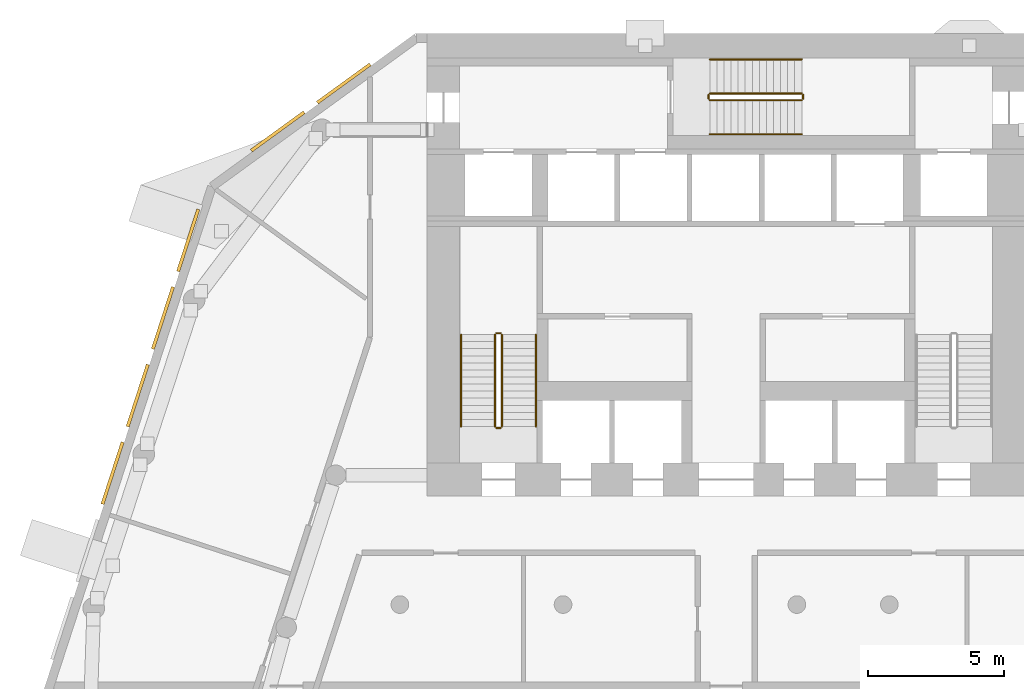
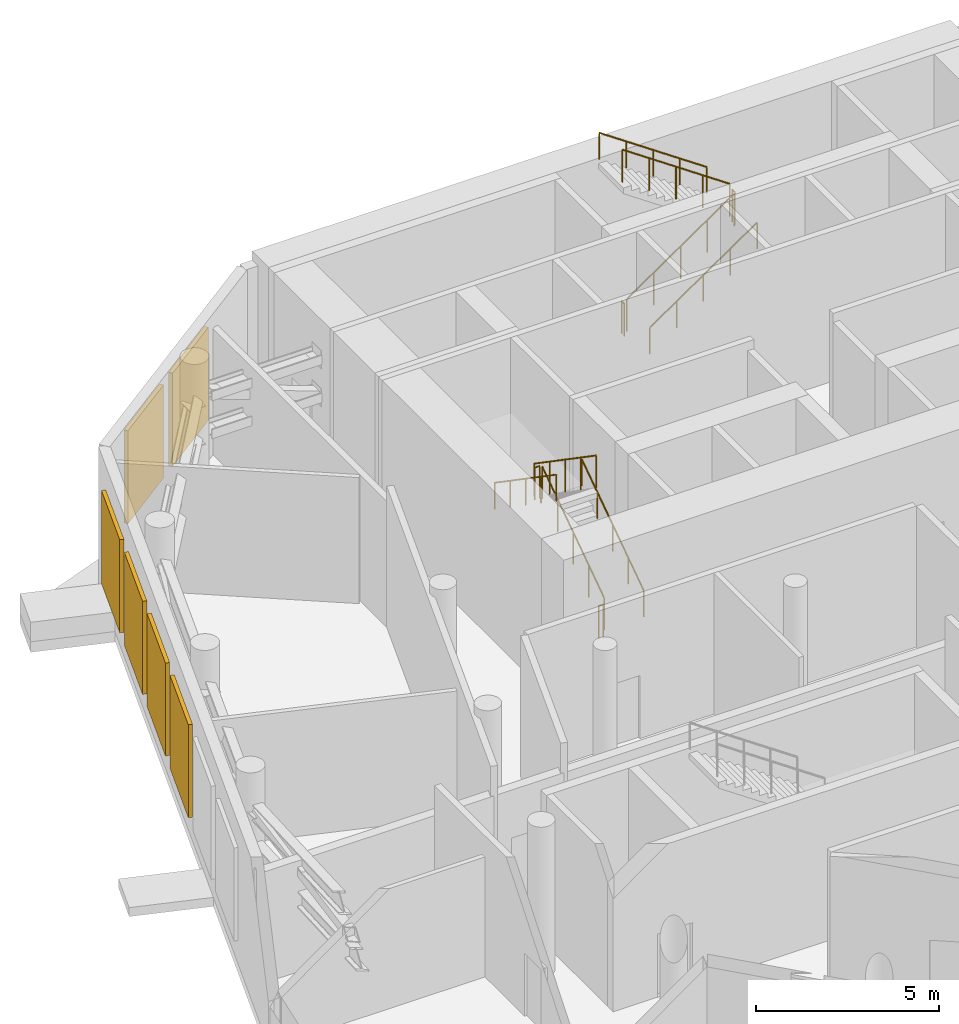
# One storey, part 14 of 15: 12 railings, 6 shading devices.
"""IFC4 building model written with IfcOpenShell, lengths in metres."""

from ifc_helpers import new_model, si_unit, direction, frame, origin, origin_2d, place, context, subcontext, project, spatial, rectangle, circle, extrude, material, type_object, element, save


model = new_model("IFC4")

# Units and contexts
model_context = context("Model", 3, precision=1e-05, world=origin(), true_north=direction((0.0, 1.0)))
body_context = subcontext(model_context, "Body", "Model", "MODEL_VIEW")
ifc_project = project(units=[si_unit("LENGTHUNIT", "METRE"), si_unit("AREAUNIT", "SQUARE_METRE"), si_unit("VOLUMEUNIT", "CUBIC_METRE"), si_unit("PLANEANGLEUNIT", "RADIAN"), si_unit("MASSUNIT", "GRAM", prefix="KILO")], contexts=[model_context])

# Site, building, storey
site_placement = place(None, origin())
site = spatial("IfcSite", under=ifc_project, at=site_placement, CompositionType="ELEMENT")
building_placement = place(site_placement, origin())
building = spatial("IfcBuilding", under=site, at=building_placement, Name="White Candle Pilgrim Tower", CompositionType="ELEMENT")
storey_placement = place(building_placement, frame((0.0, 0.0, 85.800048828125)))
storey = spatial("IfcBuildingStorey", under=building, at=storey_placement, Name="L18", CompositionType="ELEMENT", Elevation=85.800048828125)

# Shading devices
ifc_material_1 = material(Name="Aluminium", Category="aluminium")
shading_device_type = type_object("IfcShadingDeviceType", Name="Plant louvre LV2 2400x3100 aluminium framed", PredefinedType="USERDEFINED", material=ifc_material_1)
for number, where, z_axis, x_axis, name in (
    (1, (55.93505859375, 86.164794921875, 0.7998046875), (0.0, 0.0, 1.0), (-0.809017001546, -0.587785242423, 0.0), "Plant louvre L18 NW chamfer 1"),
    (2, (53.5078125, 84.4013671875, 0.7998046875), (0.0, 0.0, 1.0), (-0.809017001546, -0.587785242423, 0.0), "Plant louvre L18 NW chamfer 2"),
    (3, (50.21337890625, 80.39453125, 0.7998046875), (0.0, 0.0, 1.0), (-0.309016991122, -0.951056517352, 0.0), "Plant louvre L18 WNW 1"),
    (4, (49.2861328125, 77.54150390625, 0.7998046875), (0.0, 0.0, 1.0), (-0.309016991122, -0.951056517352, 0.0), "Plant louvre L18 WNW 2"),
    (5, (48.359130859375, 74.688232421875, 0.7998046875), (0.0, 0.0, 1.0), (-0.309016991122, -0.951056517352, 0.0), "Plant louvre L18 WNW 3"),
    (6, (47.43212890625, 71.8349609375, 0.7998046875), (0.0, 0.0, 1.0), (-0.309016991122, -0.951056517352, 0.0), "Plant louvre L18 WNW 4"),
):
    element("IfcShadingDevice", number, at=place(storey_placement, frame(where, z_axis=z_axis, x_axis=x_axis)), inside=storey, type_object=shading_device_type, Name=name, ObjectType="LOUVRE", PredefinedType="USERDEFINED", context=body_context, shape_type="SweptSolid", body=[
        extrude(rectangle(XDim=2.39990234375, YDim=0.1201171875, at=origin_2d()), origin(), (0.0, 0.0, 1.0), 3.10009765625),
    ])

# Railings
ifc_material_2 = material(Name="Stainless steel", Category="steel")
railing_type_1 = type_object("IfcRailingType", Name="Stair guard stainless steel 1100 mm", PredefinedType="GUARDRAIL", material=ifc_material_2)
railing_1_placement = place(storey_placement, frame((61.75, 73.550048828125, 0.178466796875)))
element("IfcRailing", 7, at=railing_1_placement, inside=storey, type_object=railing_type_1, Name="L18 ST1 stair guard 1", PredefinedType="GUARDRAIL", context=body_context, shape_type="SweptSolid", body=[
    extrude(circle(Radius=0.02392578125, at=origin_2d()), frame((0.0, 0.0, 1.076171875), z_axis=(0.0, 0.824285065979, 0.566174999451), x_axis=(-1.0, 0.0, 0.0)), (0.0, 0.0, 1.0), 4.100341796875),
    extrude(circle(Radius=0.02099609375, at=origin_2d()), origin(), (0.0, 0.0, 1.0), 1.052001953125),
    extrude(circle(Radius=0.02099609375, at=origin_2d()), frame((0.0, 0.844970703125, 0.580322265625)), (0.0, 0.0, 1.0), 1.052001953125),
    extrude(circle(Radius=0.02099609375, at=origin_2d()), frame((0.0, 1.68994140625, 1.16064453125)), (0.0, 0.0, 1.0), 1.052001953125),
    extrude(circle(Radius=0.02099609375, at=origin_2d()), frame((0.0, 2.534912109375, 1.7412109375)), (0.0, 0.0, 1.0), 1.052001953125),
    extrude(circle(Radius=0.02099609375, at=origin_2d()), frame((0.0, 3.3798828125, 2.321533203125)), (0.0, 0.0, 1.0), 1.052001953125),
])
railing_2_placement = place(storey_placement, frame((61.699951171875, 76.97998046875, 2.5)))
element("IfcRailing", 8, at=railing_2_placement, inside=storey, type_object=railing_type_1, Name="L18 ST1 stair guard 2", PredefinedType="GUARDRAIL", context=body_context, shape_type="SweptSolid", body=[
    extrude(circle(Radius=0.02392578125, at=origin_2d()), frame((0.0, 0.0, 1.076171875), z_axis=(-1.0, 0.0, 0.0), x_axis=(0.0, -1.0, 0.0)), (0.0, 0.0, 1.0), 0.14990234375),
    extrude(circle(Radius=0.02099609375, at=origin_2d()), origin(), (0.0, 0.0, 1.0), 1.052001953125),
    extrude(circle(Radius=0.02099609375, at=origin_2d()), frame((-0.14990234375, 0.0, 0.0)), (0.0, 0.0, 1.0), 1.052001953125),
])
railing_3_placement = place(storey_placement, frame((61.5, 76.929931640625, 2.678466796875)))
element("IfcRailing", 9, at=railing_3_placement, inside=storey, type_object=railing_type_1, Name="L18 ST1 stair guard 3", PredefinedType="GUARDRAIL", context=body_context, shape_type="SweptSolid", body=[
    extrude(circle(Radius=0.02392578125, at=origin_2d()), frame((0.0, 0.0, 1.076171875), z_axis=(0.0, -0.824285065979, 0.566174999451), x_axis=(1.0, 0.0, 0.0)), (0.0, 0.0, 1.0), 4.100341796875),
    extrude(circle(Radius=0.02099609375, at=origin_2d()), origin(), (0.0, 0.0, 1.0), 1.052001953125),
    extrude(circle(Radius=0.02099609375, at=origin_2d()), frame((0.0, -0.844970703125, 0.580322265625)), (0.0, 0.0, 1.0), 1.052001953125),
    extrude(circle(Radius=0.02099609375, at=origin_2d()), frame((0.0, -1.68994140625, 1.16064453125)), (0.0, 0.0, 1.0), 1.052001953125),
    extrude(circle(Radius=0.02099609375, at=origin_2d()), frame((0.0, -2.534912109375, 1.7412109375)), (0.0, 0.0, 1.0), 1.052001953125),
    extrude(circle(Radius=0.02099609375, at=origin_2d()), frame((0.0, -3.3798828125, 2.321533203125)), (0.0, 0.0, 1.0), 1.052001953125),
])
railing_4_placement = place(storey_placement, frame((61.699951171875, 73.5, 0.0)))
element("IfcRailing", 10, at=railing_4_placement, inside=storey, type_object=railing_type_1, Name="L18 ST1 stair guard 4", PredefinedType="GUARDRAIL", context=body_context, shape_type="SweptSolid", body=[
    extrude(circle(Radius=0.02392578125, at=origin_2d()), frame((0.0, 0.0, 1.076171875), z_axis=(-1.0, 0.0, 0.0), x_axis=(0.0, -1.0, 0.0)), (0.0, 0.0, 1.0), 0.14990234375),
    extrude(circle(Radius=0.02099609375, at=origin_2d()), origin(), (0.0, 0.0, 1.0), 1.052001953125),
    extrude(circle(Radius=0.02099609375, at=origin_2d()), frame((-0.14990234375, 0.0, 0.0)), (0.0, 0.0, 1.0), 1.052001953125),
])
railing_5_placement = place(storey_placement, frame((69.39990234375, 85.550048828125, 0.178466796875)))
element("IfcRailing", 11, at=railing_5_placement, inside=storey, type_object=railing_type_1, Name="L18 ST3 stair guard 1", PredefinedType="GUARDRAIL", context=body_context, shape_type="SweptSolid", body=[
    extrude(circle(Radius=0.02392578125, at=origin_2d()), frame((0.0, 0.0, 1.076171875), z_axis=(0.824304150675, 0.0, 0.566147213346), x_axis=(0.0, 1.0, 0.0)), (0.0, 0.0, 1.0), 4.1005859375),
    extrude(circle(Radius=0.02099609375, at=origin_2d()), origin(), (0.0, 0.0, 1.0), 1.052001953125),
    extrude(circle(Radius=0.02099609375, at=origin_2d()), frame((0.844970703125, 0.0, 0.580322265625)), (0.0, 0.0, 1.0), 1.052001953125),
    extrude(circle(Radius=0.02099609375, at=origin_2d()), frame((1.68994140625, 0.0, 1.16064453125)), (0.0, 0.0, 1.0), 1.052001953125),
    extrude(circle(Radius=0.02099609375, at=origin_2d()), frame((2.53515625, 0.0, 1.7412109375)), (0.0, 0.0, 1.0), 1.052001953125),
    extrude(circle(Radius=0.02099609375, at=origin_2d()), frame((3.380126953125, 0.0, 2.321533203125)), (0.0, 0.0, 1.0), 1.052001953125),
])
railing_6_placement = place(storey_placement, frame((72.830078125, 85.60009765625, 2.5)))
element("IfcRailing", 12, at=railing_6_placement, inside=storey, type_object=railing_type_1, Name="L18 ST3 stair guard 2", PredefinedType="GUARDRAIL", context=body_context, shape_type="SweptSolid", body=[
    extrude(circle(Radius=0.02392578125, at=origin_2d()), frame((0.0, 0.0, 1.076171875), z_axis=(0.0, 1.0, 0.0), x_axis=(-1.0, 0.0, 0.0)), (0.0, 0.0, 1.0), 0.14990234375),
    extrude(circle(Radius=0.02099609375, at=origin_2d()), origin(), (0.0, 0.0, 1.0), 1.052001953125),
    extrude(circle(Radius=0.02099609375, at=origin_2d()), frame((0.0, 0.14990234375, 0.0)), (0.0, 0.0, 1.0), 1.052001953125),
])
railing_7_placement = place(storey_placement, frame((72.780029296875, 85.800048828125, 2.678466796875)))
element("IfcRailing", 13, at=railing_7_placement, inside=storey, type_object=railing_type_1, Name="L18 ST3 stair guard 3", PredefinedType="GUARDRAIL", context=body_context, shape_type="SweptSolid", body=[
    extrude(circle(Radius=0.02392578125, at=origin_2d()), frame((0.0, 0.0, 1.076171875), z_axis=(-0.824304150675, 0.0, 0.566147213346), x_axis=(0.0, -1.0, 0.0)), (0.0, 0.0, 1.0), 4.1005859375),
    extrude(circle(Radius=0.02099609375, at=origin_2d()), origin(), (0.0, 0.0, 1.0), 1.052001953125),
    extrude(circle(Radius=0.02099609375, at=origin_2d()), frame((-0.844970703125, 0.0, 0.580322265625)), (0.0, 0.0, 1.0), 1.052001953125),
    extrude(circle(Radius=0.02099609375, at=origin_2d()), frame((-1.68994140625, 0.0, 1.16064453125)), (0.0, 0.0, 1.0), 1.052001953125),
    extrude(circle(Radius=0.02099609375, at=origin_2d()), frame((-2.53515625, 0.0, 1.7412109375)), (0.0, 0.0, 1.0), 1.052001953125),
    extrude(circle(Radius=0.02099609375, at=origin_2d()), frame((-3.380126953125, 0.0, 2.321533203125)), (0.0, 0.0, 1.0), 1.052001953125),
])
railing_8_placement = place(storey_placement, frame((69.35009765625, 85.60009765625, 0.0)))
element("IfcRailing", 14, at=railing_8_placement, inside=storey, type_object=railing_type_1, Name="L18 ST3 stair guard 4", PredefinedType="GUARDRAIL", context=body_context, shape_type="SweptSolid", body=[
    extrude(circle(Radius=0.02392578125, at=origin_2d()), frame((0.0, 0.0, 1.076171875), z_axis=(0.0, 1.0, 0.0), x_axis=(-1.0, 0.0, 0.0)), (0.0, 0.0, 1.0), 0.14990234375),
    extrude(circle(Radius=0.02099609375, at=origin_2d()), origin(), (0.0, 0.0, 1.0), 1.052001953125),
    extrude(circle(Radius=0.02099609375, at=origin_2d()), frame((0.0, 0.14990234375, 0.0)), (0.0, 0.0, 1.0), 1.052001953125),
])
railing_type_2 = type_object("IfcRailingType", Name="Stair handrail stainless steel", PredefinedType="HANDRAIL", material=ifc_material_2)
railing_9_placement = place(storey_placement, frame((63.0, 73.550048828125, 0.178466796875)))
element("IfcRailing", 15, at=railing_9_placement, inside=storey, type_object=railing_type_2, Name="L18 ST1 stair handrail 1", PredefinedType="HANDRAIL", context=body_context, shape_type="SweptSolid", body=[
    extrude(circle(Radius=0.02392578125, at=origin_2d()), frame((0.0, 0.0, 0.8759765625), z_axis=(0.0, 0.824285065979, 0.566174999451), x_axis=(-1.0, 0.0, 0.0)), (0.0, 0.0, 1.0), 4.100341796875),
    extrude(circle(Radius=0.02099609375, at=origin_2d()), origin(), (0.0, 0.0, 1.0), 0.851806640625),
    extrude(circle(Radius=0.02099609375, at=origin_2d()), frame((0.0, 0.844970703125, 0.580322265625)), (0.0, 0.0, 1.0), 0.851806640625),
    extrude(circle(Radius=0.02099609375, at=origin_2d()), frame((0.0, 1.68994140625, 1.16064453125)), (0.0, 0.0, 1.0), 0.851806640625),
    extrude(circle(Radius=0.02099609375, at=origin_2d()), frame((0.0, 2.534912109375, 1.7412109375)), (0.0, 0.0, 1.0), 0.851806640625),
    extrude(circle(Radius=0.02099609375, at=origin_2d()), frame((0.0, 3.3798828125, 2.321533203125)), (0.0, 0.0, 1.0), 0.851806640625),
])
railing_10_placement = place(storey_placement, frame((60.25, 76.929931640625, 2.678466796875)))
element("IfcRailing", 16, at=railing_10_placement, inside=storey, type_object=railing_type_2, Name="L18 ST1 stair handrail 2", PredefinedType="HANDRAIL", context=body_context, shape_type="SweptSolid", body=[
    extrude(circle(Radius=0.02392578125, at=origin_2d()), frame((0.0, 0.0, 0.8759765625), z_axis=(0.0, -0.824285065979, 0.566174999451), x_axis=(1.0, 0.0, 0.0)), (0.0, 0.0, 1.0), 4.100341796875),
    extrude(circle(Radius=0.02099609375, at=origin_2d()), origin(), (0.0, 0.0, 1.0), 0.851806640625),
    extrude(circle(Radius=0.02099609375, at=origin_2d()), frame((0.0, -0.844970703125, 0.580322265625)), (0.0, 0.0, 1.0), 0.851806640625),
    extrude(circle(Radius=0.02099609375, at=origin_2d()), frame((0.0, -1.68994140625, 1.16064453125)), (0.0, 0.0, 1.0), 0.851806640625),
    extrude(circle(Radius=0.02099609375, at=origin_2d()), frame((0.0, -2.534912109375, 1.7412109375)), (0.0, 0.0, 1.0), 0.851806640625),
    extrude(circle(Radius=0.02099609375, at=origin_2d()), frame((0.0, -3.3798828125, 2.321533203125)), (0.0, 0.0, 1.0), 0.851806640625),
])
railing_11_placement = place(storey_placement, frame((69.39990234375, 84.300048828125, 0.178466796875)))
element("IfcRailing", 17, at=railing_11_placement, inside=storey, type_object=railing_type_2, Name="L18 ST3 stair handrail 1", PredefinedType="HANDRAIL", context=body_context, shape_type="SweptSolid", body=[
    extrude(circle(Radius=0.02392578125, at=origin_2d()), frame((0.0, 0.0, 0.8759765625), z_axis=(0.824304150675, 0.0, 0.566147213346), x_axis=(0.0, 1.0, 0.0)), (0.0, 0.0, 1.0), 4.1005859375),
    extrude(circle(Radius=0.02099609375, at=origin_2d()), origin(), (0.0, 0.0, 1.0), 0.851806640625),
    extrude(circle(Radius=0.02099609375, at=origin_2d()), frame((0.844970703125, 0.0, 0.580322265625)), (0.0, 0.0, 1.0), 0.851806640625),
    extrude(circle(Radius=0.02099609375, at=origin_2d()), frame((1.68994140625, 0.0, 1.16064453125)), (0.0, 0.0, 1.0), 0.851806640625),
    extrude(circle(Radius=0.02099609375, at=origin_2d()), frame((2.53515625, 0.0, 1.7412109375)), (0.0, 0.0, 1.0), 0.851806640625),
    extrude(circle(Radius=0.02099609375, at=origin_2d()), frame((3.380126953125, 0.0, 2.321533203125)), (0.0, 0.0, 1.0), 0.851806640625),
])
railing_12_placement = place(storey_placement, frame((72.780029296875, 87.050048828125, 2.678466796875)))
element("IfcRailing", 18, at=railing_12_placement, inside=storey, type_object=railing_type_2, Name="L18 ST3 stair handrail 2", PredefinedType="HANDRAIL", context=body_context, shape_type="SweptSolid", body=[
    extrude(circle(Radius=0.02392578125, at=origin_2d()), frame((0.0, 0.0, 0.8759765625), z_axis=(-0.824304150675, 0.0, 0.566147213346), x_axis=(0.0, -1.0, 0.0)), (0.0, 0.0, 1.0), 4.1005859375),
    extrude(circle(Radius=0.02099609375, at=origin_2d()), origin(), (0.0, 0.0, 1.0), 0.851806640625),
    extrude(circle(Radius=0.02099609375, at=origin_2d()), frame((-0.844970703125, 0.0, 0.580322265625)), (0.0, 0.0, 1.0), 0.851806640625),
    extrude(circle(Radius=0.02099609375, at=origin_2d()), frame((-1.68994140625, 0.0, 1.16064453125)), (0.0, 0.0, 1.0), 0.851806640625),
    extrude(circle(Radius=0.02099609375, at=origin_2d()), frame((-2.53515625, 0.0, 1.7412109375)), (0.0, 0.0, 1.0), 0.851806640625),
    extrude(circle(Radius=0.02099609375, at=origin_2d()), frame((-3.380126953125, 0.0, 2.321533203125)), (0.0, 0.0, 1.0), 0.851806640625),
])

save(model, "model.ifc")
